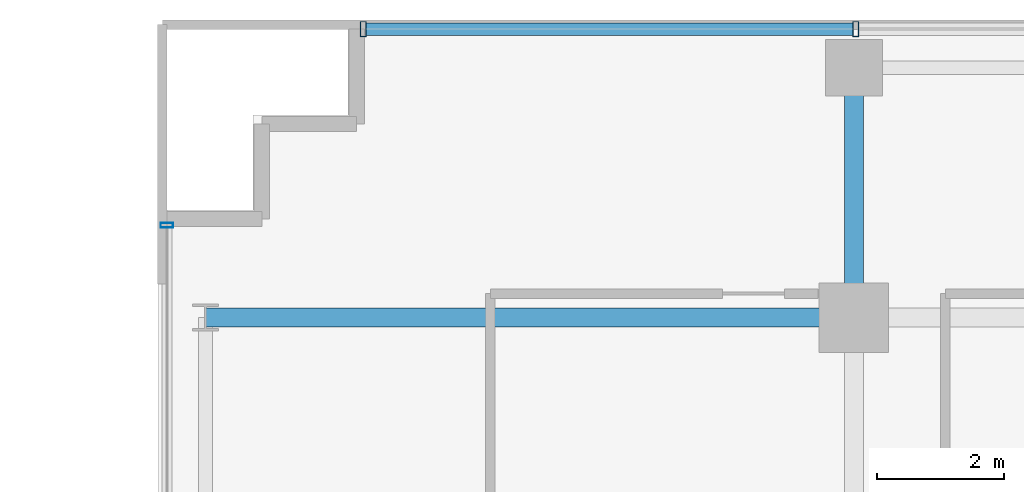
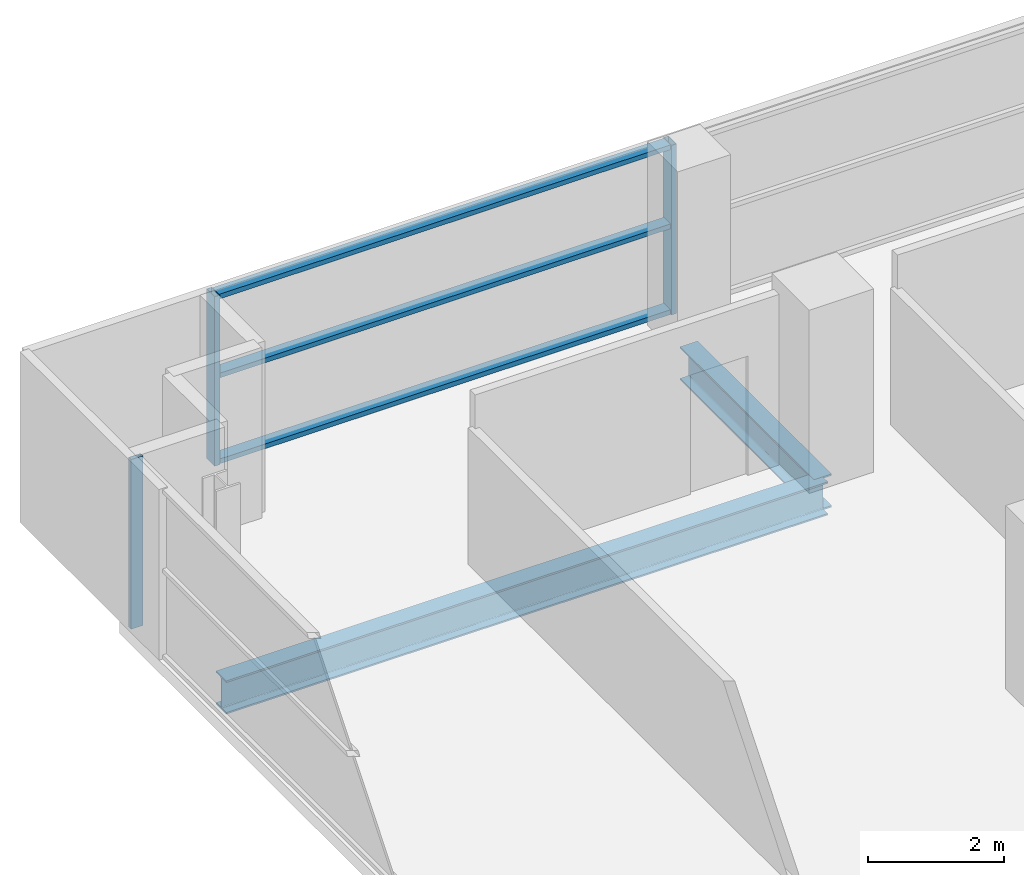
# One storey, part 17 of 30: 6 members, 2 beams, 2 elements without a shape of their own.
"""IFC4 building model written with IfcOpenShell, lengths in metres."""

from ifc_helpers import new_model, si_unit, direction, frame, origin, origin_2d, place, context, subcontext, project, spatial, hollow_rectangle, i_section, extrude, source, transform, mapped, material, layer, layer_set, material_profile, profile_set, type_object, element, aggregate, save


model = new_model("IFC4")

# Units and contexts
model_context = context("Model", 3, precision=1e-05, world=origin(), true_north=direction((0.0, 1.0)))
body_context = subcontext(model_context, "Body", "Model", "MODEL_VIEW")
ifc_project = project(units=[si_unit("LENGTHUNIT", "METRE"), si_unit("AREAUNIT", "SQUARE_METRE"), si_unit("VOLUMEUNIT", "CUBIC_METRE"), si_unit("PLANEANGLEUNIT", "RADIAN"), si_unit("MASSUNIT", "GRAM", prefix="KILO")], contexts=[model_context])

# Site, building, storey
site_placement = place(None, origin())
site = spatial("IfcSite", under=ifc_project, at=site_placement, CompositionType="ELEMENT")
building_placement = place(site_placement, origin())
building = spatial("IfcBuilding", under=site, at=building_placement, Name="Zarnakvel Exchange Tower", CompositionType="ELEMENT")
storey_placement = place(building_placement, frame((0.0, 0.0, 34.0)))
storey = spatial("IfcBuildingStorey", under=building, at=storey_placement, Name="L08", CompositionType="ELEMENT", Elevation=34.0)

# Beams
ifc_material_1 = material(Name="Steel S355", Category="steel")
ifc_material_profile_1 = material_profile(ifc_material_1, i_section(OverallWidth=0.300048828125, OverallDepth=0.60009765625, WebThickness=0.015380859375, FlangeThickness=0.030029296875, FilletRadius=0.027099609375, at=origin_2d()))
ifc_profile_set_1 = profile_set([ifc_material_profile_1], Name="Steel S355")
beam_type = type_object("IfcBeamType", Name="G-04", PredefinedType="BEAM", material=ifc_profile_set_1)
beam_1_placement = place(storey_placement, frame((-31.85009765625, 13.5, -0.52490234375), z_axis=(1.0, 0.0, 0.0), x_axis=(0.0, 1.0, 0.0)))
element("IfcBeam", 1, at=beam_1_placement, inside=storey, type_object=beam_type, Name="L08 Tower E-W Frame Beam", PredefinedType="BEAM", context=body_context, shape_type="SweptSolid", body=[
    extrude(i_section(OverallWidth=0.300048828125, OverallDepth=0.60009765625, WebThickness=0.015380859375, FlangeThickness=0.030029296875, FilletRadius=0.027099609375, at=origin_2d()), origin(), (0.0, 0.0, 1.0), 10.25),
])
beam_2_placement = place(storey_placement, frame((-21.60009765625, 13.5, -0.52490234375), z_axis=(0.0, 1.0, 0.0), x_axis=(-1.0, 0.0, 0.0)))
element("IfcBeam", 2, at=beam_2_placement, inside=storey, type_object=beam_type, Name="L08 Tower N-S Frame Beam", PredefinedType="BEAM", context=body_context, shape_type="SweptSolid", body=[
    extrude(i_section(OverallWidth=0.300048828125, OverallDepth=0.60009765625, WebThickness=0.015380859375, FlangeThickness=0.030029296875, FilletRadius=0.027099609375, at=origin_2d()), origin(), (0.0, 0.0, 1.0), 3.949951171875),
])

# Curtain wall, members
ifc_material_2 = material(Name="Architectural Bronze Anodised Aluminium", Category="aluminium")
ifc_layer_1 = layer(ifc_material_2, 0.239990234375)
ifc_layer_set_1 = layer_set([ifc_layer_1], Name="Architectural Bronze Anodised Aluminium")
curtain_wall_type_1 = type_object("IfcCurtainWallType", Name="CW-02", PredefinedType="NOTDEFINED", material=ifc_layer_set_1)
curtain_wall_1_placement = place(storey_placement, origin())
curtain_wall_1 = element("IfcCurtainWall", 3, at=curtain_wall_1_placement, inside=storey, type_object=curtain_wall_type_1, Name="L08 Curtain Wall CW-L08-N1 (CW-02)", PredefinedType="NOTDEFINED")
ifc_material_profile_2 = material_profile(ifc_material_2, hollow_rectangle(XDim=0.199951171875, YDim=0.0849609375, WallThickness=0.0048828125, at=origin_2d()))
ifc_profile_set_2 = profile_set([ifc_material_profile_2], Name="Architectural Bronze Anodised Aluminium")
member_type_1 = type_object("IfcMemberType", Name="CWT-02", PredefinedType="USERDEFINED", material=ifc_profile_set_2)
shared_shape_1 = source(origin(), body_context, "Body", "SweptSolid", [
    extrude(hollow_rectangle(XDim=0.199951171875, YDim=0.0849609375, WallThickness=0.0048828125, at=origin_2d()), origin(), (0.0, 0.0, 1.0), 7.693603515625),
])
member_1_placement = place(storey_placement, frame((-29.31005859375, 18.06005859375, 0.04248046875), z_axis=(1.0, 0.0, 0.0), x_axis=(0.0, 1.0, 0.0)))
member_1 = element("IfcMember", 4, at=member_1_placement, type_object=member_type_1, Name="CW-02 transom 1.1", ObjectType="TRANSOM", PredefinedType="USERDEFINED", context=body_context, shape_type="MappedRepresentation", body=[
    mapped(shared_shape_1, transform((0.0, 0.0, 0.0), x_axis=(1.0, 0.0, 0.0), y_axis=(0.0, 1.0, 0.0), z_axis=(0.0, 0.0, 1.0), scale=1.0)),
])
member_2_placement = place(storey_placement, frame((-29.31005859375, 18.06005859375, 1.588623046875), z_axis=(1.0, 0.0, 0.0), x_axis=(0.0, 1.0, 0.0)))
member_2 = element("IfcMember", 5, at=member_2_placement, type_object=member_type_1, Name="CW-02 transom 1.2", ObjectType="TRANSOM", PredefinedType="USERDEFINED", context=body_context, shape_type="MappedRepresentation", body=[
    mapped(shared_shape_1, transform((0.0, 0.0, 0.0), x_axis=(1.0, 0.0, 0.0), y_axis=(0.0, 1.0, 0.0), z_axis=(0.0, 0.0, 1.0), scale=1.0)),
])
member_3_placement = place(storey_placement, frame((-29.31005859375, 18.06005859375, 3.012451171875), z_axis=(1.0, 0.0, 0.0), x_axis=(0.0, 1.0, 0.0)))
member_3 = element("IfcMember", 6, at=member_3_placement, type_object=member_type_1, Name="CW-02 transom 1.3", ObjectType="TRANSOM", PredefinedType="USERDEFINED", context=body_context, shape_type="MappedRepresentation", body=[
    mapped(shared_shape_1, transform((0.0, 0.0, 0.0), x_axis=(1.0, 0.0, 0.0), y_axis=(0.0, 1.0, 0.0), z_axis=(0.0, 0.0, 1.0), scale=1.0)),
])
ifc_material_profile_3 = material_profile(ifc_material_2, hollow_rectangle(XDim=0.239990234375, YDim=0.090087890625, WallThickness=0.006103515625, at=origin_2d()))
ifc_profile_set_3 = profile_set([ifc_material_profile_3], Name="Architectural Bronze Anodised Aluminium")
member_type_2 = type_object("IfcMemberType", Name="CWM-02", PredefinedType="MULLION", material=ifc_profile_set_3)
shared_shape_2 = source(origin(), body_context, "Body", "SweptSolid", [
    extrude(hollow_rectangle(XDim=0.239990234375, YDim=0.090087890625, WallThickness=0.006103515625, at=origin_2d()), origin(), (0.0, 0.0, 1.0), 3.054931640625),
])
member_4_placement = place(storey_placement, frame((-29.35498046875, 18.06005859375, 0.0), z_axis=(0.0, 0.0, 1.0), x_axis=(0.0, 1.0, 0.0)))
member_4 = element("IfcMember", 7, at=member_4_placement, type_object=member_type_2, Name="CW-02 mullion 1", PredefinedType="MULLION", context=body_context, shape_type="MappedRepresentation", body=[
    mapped(shared_shape_2, transform((0.0, 0.0, 0.0), x_axis=(1.0, 0.0, 0.0), y_axis=(0.0, 1.0, 0.0), z_axis=(0.0, 0.0, 1.0), scale=1.0)),
])
member_5_placement = place(storey_placement, frame((-21.571533203125, 18.06005859375, 0.0), z_axis=(0.0, 0.0, 1.0), x_axis=(0.0, 1.0, 0.0)))
member_5 = element("IfcMember", 8, at=member_5_placement, type_object=member_type_2, Name="CW-02 mullion 2", PredefinedType="MULLION", context=body_context, shape_type="MappedRepresentation", body=[
    mapped(shared_shape_2, transform((0.0, 0.0, 0.0), x_axis=(1.0, 0.0, 0.0), y_axis=(0.0, 1.0, 0.0), z_axis=(0.0, 0.0, 1.0), scale=1.0)),
])
aggregate(curtain_wall_1, [member_4, member_5, member_1, member_2, member_3])

# Curtain wall, member
ifc_layer_2 = layer(ifc_material_2, 0.199951171875)
ifc_layer_set_2 = layer_set([ifc_layer_2], Name="Architectural Bronze Anodised Aluminium")
curtain_wall_type_2 = type_object("IfcCurtainWallType", Name="CW-04", PredefinedType="NOTDEFINED", material=ifc_layer_set_2)
curtain_wall_2_placement = place(storey_placement, origin())
curtain_wall_2 = element("IfcCurtainWall", 9, at=curtain_wall_2_placement, inside=storey, type_object=curtain_wall_type_2, Name="L08 Curtain Wall CW-L08-WN (CW-04)", PredefinedType="NOTDEFINED")
ifc_material_profile_4 = material_profile(ifc_material_2, hollow_rectangle(XDim=0.199951171875, YDim=0.074951171875, WallThickness=0.0048828125, at=origin_2d()))
ifc_profile_set_4 = profile_set([ifc_material_profile_4], Name="Architectural Bronze Anodised Aluminium")
member_type_3 = type_object("IfcMemberType", Name="CWM-04", PredefinedType="MULLION", material=ifc_profile_set_4)
shared_shape_3 = source(origin(), body_context, "Body", "SweptSolid", [
    extrude(hollow_rectangle(XDim=0.199951171875, YDim=0.074951171875, WallThickness=0.0048828125, at=origin_2d()), origin(), (0.0, 0.0, 1.0), 3.054931640625),
])
member_6_placement = place(storey_placement, frame((-32.4599609375, 14.96240234375, 0.0), z_axis=(0.0, 0.0, 1.0), x_axis=(-1.0, 0.0, 0.0)))
member_6 = element("IfcMember", 10, at=member_6_placement, type_object=member_type_3, Name="CW-04 mullion 3", PredefinedType="MULLION", context=body_context, shape_type="MappedRepresentation", body=[
    mapped(shared_shape_3, transform((0.0, 0.0, 0.0), x_axis=(1.0, 0.0, 0.0), y_axis=(0.0, 1.0, 0.0), z_axis=(0.0, 0.0, 1.0), scale=1.0)),
])
aggregate(curtain_wall_2, [member_6])

save(model, "model.ifc")
